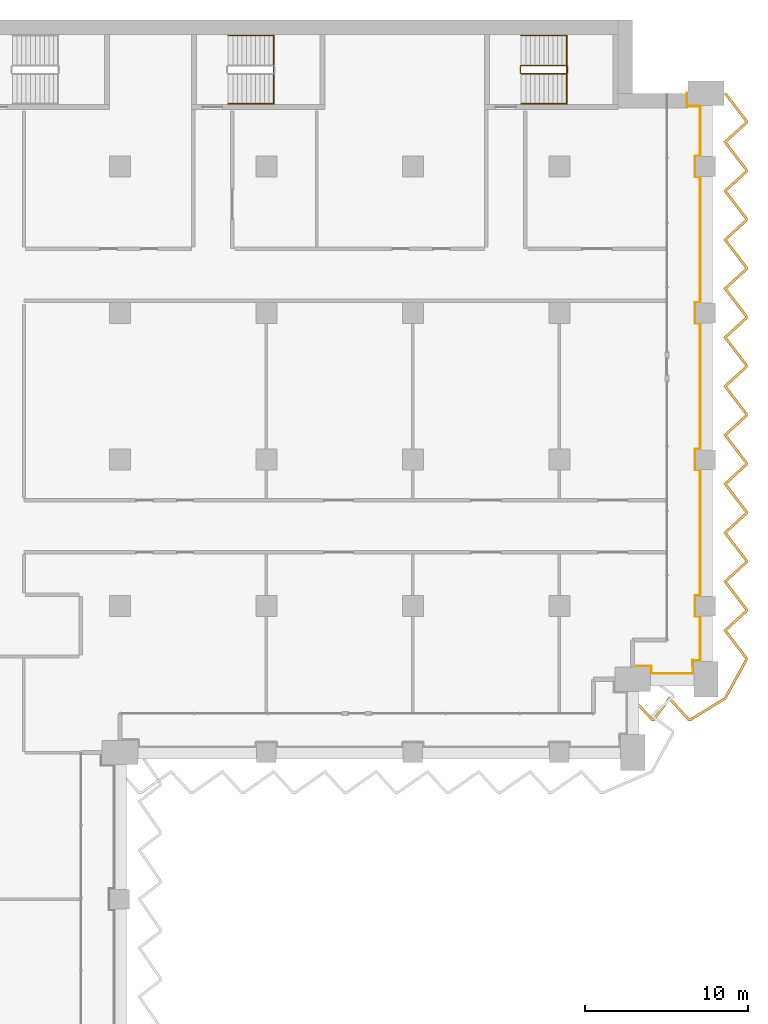
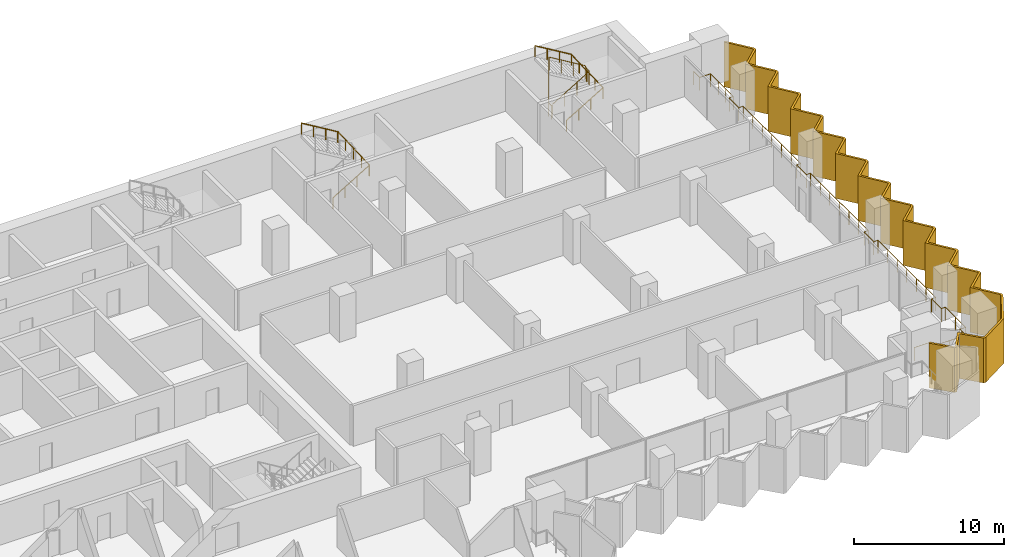
# One storey, part 22 of 22: 4 railings, 1 shading device.
"""IFC4 building model written with IfcOpenShell, lengths in metres."""

from ifc_helpers import new_model, si_unit, direction, frame, origin, origin_2d, place, context, subcontext, project, spatial, polyline, circle, outline, extrude, material, layer, layer_set, type_object, element, save


model = new_model("IFC4")

# Units and contexts
model_context = context("Model", 3, precision=1e-05, world=origin(), true_north=direction((0.0, 1.0)))
body_context = subcontext(model_context, "Body", "Model", "MODEL_VIEW")
ifc_project = project(units=[si_unit("LENGTHUNIT", "METRE"), si_unit("AREAUNIT", "SQUARE_METRE"), si_unit("VOLUMEUNIT", "CUBIC_METRE"), si_unit("PLANEANGLEUNIT", "RADIAN"), si_unit("MASSUNIT", "GRAM", prefix="KILO")], contexts=[model_context])

# Site, building, storey
site_placement = place(None, origin())
site = spatial("IfcSite", under=ifc_project, at=site_placement, CompositionType="ELEMENT")
building_placement = place(site_placement, origin())
building = spatial("IfcBuilding", under=site, at=building_placement, Name="Hunhe Ridgeline Campus", CompositionType="ELEMENT")
storey_placement = place(building_placement, frame((0.0, 0.0, 114.39990234375)))
storey = spatial("IfcBuildingStorey", under=building, at=storey_placement, Name="L28", CompositionType="ELEMENT", Elevation=114.39990234375)

# Railing
ifc_material_1 = material(Name="Steel Q355", Category="steel")
railing_type_1 = type_object("IfcRailingType", Name="Loggia guard 1100 Steel Q355", PredefinedType="GUARDRAIL", material=ifc_material_1)
railing_1_placement = place(storey_placement, frame((76.5, 59.320068359375, 0.0)))
element("IfcRailing", 1, at=railing_1_placement, inside=storey, type_object=railing_type_1, Name="Loggia guard 3", PredefinedType="GUARDRAIL", context=body_context, shape_type="SweptSolid", body=[
    extrude(circle(Radius=0.02392578125, at=origin_2d()), frame((0.0, 0.0, 1.076171875), z_axis=(1.0, 0.0, 0.0), x_axis=(0.0, 1.0, 0.0)), (0.0, 0.0, 1.0), 1.14990234375),
    extrude(circle(Radius=0.02392578125, at=origin_2d()), frame((1.14990234375, 0.0, 1.076171875), z_axis=(0.0, -1.0, 0.0), x_axis=(1.0, 0.0, 0.0)), (0.0, 0.0, 1.0), 0.469970703125),
    extrude(circle(Radius=0.02392578125, at=origin_2d()), frame((1.14990234375, -0.469970703125, 1.076171875), z_axis=(1.0, 0.0, 0.0), x_axis=(0.0, 1.0, 0.0)), (0.0, 0.0, 1.0), 2.550048828125),
    extrude(circle(Radius=0.02392578125, at=origin_2d()), frame((3.699951171875, -0.469970703125, 1.076171875), z_axis=(0.0, 1.0, 0.0), x_axis=(-1.0, 0.0, 0.0)), (0.0, 0.0, 1.0), 0.81982421875),
    extrude(circle(Radius=0.02392578125, at=origin_2d()), frame((3.699951171875, 0.349853515625, 1.076171875), z_axis=(-0.057129153726, -0.99836679622, 0.0), x_axis=(0.99836679622, -0.057129153726, 0.0)), (0.0, 0.0, 1.0), 0.350341796875),
    extrude(circle(Radius=0.02392578125, at=origin_2d()), frame((3.679931640625, 0.0, 1.076171875), z_axis=(0.0, 1.0, 0.0), x_axis=(-1.0, 0.0, 0.0)), (0.0, 0.0, 1.0), 0.329833984375),
    extrude(circle(Radius=0.02392578125, at=origin_2d()), frame((3.679931640625, 0.329833984375, 1.076171875), z_axis=(1.0, 0.0, 0.0), x_axis=(0.0, 1.0, 0.0)), (0.0, 0.0, 1.0), 0.469970703125),
    extrude(circle(Radius=0.02392578125, at=origin_2d()), frame((4.14990234375, 0.329833984375, 1.076171875), z_axis=(0.0, 1.0, 0.0), x_axis=(-1.0, 0.0, 0.0)), (0.0, 0.0, 1.0), 2.7001953125),
    extrude(circle(Radius=0.02392578125, at=origin_2d()), frame((4.14990234375, 3.030029296875, 1.076171875), z_axis=(-1.0, 0.0, 0.0), x_axis=(0.0, -1.0, 0.0)), (0.0, 0.0, 1.0), 0.31982421875),
    extrude(circle(Radius=0.02392578125, at=origin_2d()), frame((3.830078125, 3.030029296875, 1.076171875), z_axis=(0.0, 1.0, 0.0), x_axis=(-1.0, 0.0, 0.0)), (0.0, 0.0, 1.0), 1.2998046875),
    extrude(circle(Radius=0.02392578125, at=origin_2d()), frame((3.830078125, 4.329833984375, 1.076171875), z_axis=(1.0, 0.0, 0.0), x_axis=(0.0, 1.0, 0.0)), (0.0, 0.0, 1.0), 0.31982421875),
    extrude(circle(Radius=0.02392578125, at=origin_2d()), frame((4.14990234375, 4.329833984375, 1.076171875), z_axis=(0.0, 1.0, 0.0), x_axis=(-1.0, 0.0, 0.0)), (0.0, 0.0, 1.0), 7.7001953125),
    extrude(circle(Radius=0.02392578125, at=origin_2d()), frame((4.14990234375, 12.030029296875, 1.076171875), z_axis=(-1.0, 0.0, 0.0), x_axis=(0.0, -1.0, 0.0)), (0.0, 0.0, 1.0), 0.31982421875),
    extrude(circle(Radius=0.02392578125, at=origin_2d()), frame((3.830078125, 12.030029296875, 1.076171875), z_axis=(0.0, 1.0, 0.0), x_axis=(-1.0, 0.0, 0.0)), (0.0, 0.0, 1.0), 1.2998046875),
    extrude(circle(Radius=0.02392578125, at=origin_2d()), frame((3.830078125, 13.329833984375, 1.076171875), z_axis=(1.0, 0.0, 0.0), x_axis=(0.0, 1.0, 0.0)), (0.0, 0.0, 1.0), 0.31982421875),
    extrude(circle(Radius=0.02392578125, at=origin_2d()), frame((4.14990234375, 13.329833984375, 1.076171875), z_axis=(0.0, 1.0, 0.0), x_axis=(-1.0, 0.0, 0.0)), (0.0, 0.0, 1.0), 7.7001953125),
    extrude(circle(Radius=0.02392578125, at=origin_2d()), frame((4.14990234375, 21.030029296875, 1.076171875), z_axis=(-1.0, 0.0, 0.0), x_axis=(0.0, -1.0, 0.0)), (0.0, 0.0, 1.0), 0.31982421875),
    extrude(circle(Radius=0.02392578125, at=origin_2d()), frame((3.830078125, 21.030029296875, 1.076171875), z_axis=(0.0, 1.0, 0.0), x_axis=(-1.0, 0.0, 0.0)), (0.0, 0.0, 1.0), 1.2998046875),
    extrude(circle(Radius=0.02392578125, at=origin_2d()), frame((3.830078125, 22.329833984375, 1.076171875), z_axis=(1.0, 0.0, 0.0), x_axis=(0.0, 1.0, 0.0)), (0.0, 0.0, 1.0), 0.31982421875),
    extrude(circle(Radius=0.02392578125, at=origin_2d()), frame((4.14990234375, 22.329833984375, 1.076171875), z_axis=(0.0, 1.0, 0.0), x_axis=(-1.0, 0.0, 0.0)), (0.0, 0.0, 1.0), 7.7001953125),
    extrude(circle(Radius=0.02392578125, at=origin_2d()), frame((4.14990234375, 30.030029296875, 1.076171875), z_axis=(-1.0, 0.0, 0.0), x_axis=(0.0, -1.0, 0.0)), (0.0, 0.0, 1.0), 0.31982421875),
    extrude(circle(Radius=0.02392578125, at=origin_2d()), frame((3.830078125, 30.030029296875, 1.076171875), z_axis=(0.0, 1.0, 0.0), x_axis=(-1.0, 0.0, 0.0)), (0.0, 0.0, 1.0), 1.2998046875),
    extrude(circle(Radius=0.02392578125, at=origin_2d()), frame((3.830078125, 31.329833984375, 1.076171875), z_axis=(1.0, 0.0, 0.0), x_axis=(0.0, 1.0, 0.0)), (0.0, 0.0, 1.0), 0.31982421875),
    extrude(circle(Radius=0.02392578125, at=origin_2d()), frame((4.14990234375, 31.329833984375, 1.076171875), z_axis=(0.0, 1.0, 0.0), x_axis=(-1.0, 0.0, 0.0)), (0.0, 0.0, 1.0), 3.050048828125),
    extrude(circle(Radius=0.02392578125, at=origin_2d()), frame((4.14990234375, 34.3798828125, 1.076171875), z_axis=(-1.0, 0.0, 0.0), x_axis=(0.0, -1.0, 0.0)), (0.0, 0.0, 1.0), 0.81982421875),
    extrude(circle(Radius=0.02392578125, at=origin_2d()), frame((3.330078125, 34.3798828125, 1.076171875), z_axis=(0.0, 1.0, 0.0), x_axis=(-1.0, 0.0, 0.0)), (0.0, 0.0, 1.0), 0.800048828125),
    extrude(circle(Radius=0.02099609375, at=origin_2d()), origin(), (0.0, 0.0, 1.0), 1.052001953125),
    extrude(circle(Radius=0.02099609375, at=origin_2d()), frame((1.14990234375, 0.0, 0.0)), (0.0, 0.0, 1.0), 1.052001953125),
    extrude(circle(Radius=0.02099609375, at=origin_2d()), frame((1.14990234375, -0.469970703125, 0.0)), (0.0, 0.0, 1.0), 1.052001953125),
    extrude(circle(Radius=0.02099609375, at=origin_2d()), frame((2.4248046875, -0.469970703125, 0.0)), (0.0, 0.0, 1.0), 1.052001953125),
    extrude(circle(Radius=0.02099609375, at=origin_2d()), frame((3.699951171875, -0.469970703125, 0.0)), (0.0, 0.0, 1.0), 1.052001953125),
    extrude(circle(Radius=0.02099609375, at=origin_2d()), frame((3.699951171875, 0.349853515625, 0.0)), (0.0, 0.0, 1.0), 1.052001953125),
    extrude(circle(Radius=0.02099609375, at=origin_2d()), frame((3.679931640625, 0.0, 0.0)), (0.0, 0.0, 1.0), 1.052001953125),
    extrude(circle(Radius=0.02099609375, at=origin_2d()), frame((3.679931640625, 0.329833984375, 0.0)), (0.0, 0.0, 1.0), 1.052001953125),
    extrude(circle(Radius=0.02099609375, at=origin_2d()), frame((4.14990234375, 0.329833984375, 0.0)), (0.0, 0.0, 1.0), 1.052001953125),
    extrude(circle(Radius=0.02099609375, at=origin_2d()), frame((4.14990234375, 1.679931640625, 0.0)), (0.0, 0.0, 1.0), 1.052001953125),
    extrude(circle(Radius=0.02099609375, at=origin_2d()), frame((4.14990234375, 3.030029296875, 0.0)), (0.0, 0.0, 1.0), 1.052001953125),
    extrude(circle(Radius=0.02099609375, at=origin_2d()), frame((3.830078125, 3.030029296875, 0.0)), (0.0, 0.0, 1.0), 1.052001953125),
    extrude(circle(Radius=0.02099609375, at=origin_2d()), frame((3.830078125, 4.329833984375, 0.0)), (0.0, 0.0, 1.0), 1.052001953125),
    extrude(circle(Radius=0.02099609375, at=origin_2d()), frame((4.14990234375, 4.329833984375, 0.0)), (0.0, 0.0, 1.0), 1.052001953125),
    extrude(circle(Radius=0.02099609375, at=origin_2d()), frame((4.14990234375, 5.61328125, 0.0)), (0.0, 0.0, 1.0), 1.052001953125),
    extrude(circle(Radius=0.02099609375, at=origin_2d()), frame((4.14990234375, 6.896484375, 0.0)), (0.0, 0.0, 1.0), 1.052001953125),
    extrude(circle(Radius=0.02099609375, at=origin_2d()), frame((4.14990234375, 8.179931640625, 0.0)), (0.0, 0.0, 1.0), 1.052001953125),
    extrude(circle(Radius=0.02099609375, at=origin_2d()), frame((4.14990234375, 9.46337890625, 0.0)), (0.0, 0.0, 1.0), 1.052001953125),
    extrude(circle(Radius=0.02099609375, at=origin_2d()), frame((4.14990234375, 10.74658203125, 0.0)), (0.0, 0.0, 1.0), 1.052001953125),
    extrude(circle(Radius=0.02099609375, at=origin_2d()), frame((4.14990234375, 12.030029296875, 0.0)), (0.0, 0.0, 1.0), 1.052001953125),
    extrude(circle(Radius=0.02099609375, at=origin_2d()), frame((3.830078125, 12.030029296875, 0.0)), (0.0, 0.0, 1.0), 1.052001953125),
    extrude(circle(Radius=0.02099609375, at=origin_2d()), frame((3.830078125, 13.329833984375, 0.0)), (0.0, 0.0, 1.0), 1.052001953125),
    extrude(circle(Radius=0.02099609375, at=origin_2d()), frame((4.14990234375, 13.329833984375, 0.0)), (0.0, 0.0, 1.0), 1.052001953125),
    extrude(circle(Radius=0.02099609375, at=origin_2d()), frame((4.14990234375, 14.61328125, 0.0)), (0.0, 0.0, 1.0), 1.052001953125),
    extrude(circle(Radius=0.02099609375, at=origin_2d()), frame((4.14990234375, 15.896484375, 0.0)), (0.0, 0.0, 1.0), 1.052001953125),
    extrude(circle(Radius=0.02099609375, at=origin_2d()), frame((4.14990234375, 17.179931640625, 0.0)), (0.0, 0.0, 1.0), 1.052001953125),
    extrude(circle(Radius=0.02099609375, at=origin_2d()), frame((4.14990234375, 18.46337890625, 0.0)), (0.0, 0.0, 1.0), 1.052001953125),
    extrude(circle(Radius=0.02099609375, at=origin_2d()), frame((4.14990234375, 19.74658203125, 0.0)), (0.0, 0.0, 1.0), 1.052001953125),
    extrude(circle(Radius=0.02099609375, at=origin_2d()), frame((4.14990234375, 21.030029296875, 0.0)), (0.0, 0.0, 1.0), 1.052001953125),
    extrude(circle(Radius=0.02099609375, at=origin_2d()), frame((3.830078125, 21.030029296875, 0.0)), (0.0, 0.0, 1.0), 1.052001953125),
    extrude(circle(Radius=0.02099609375, at=origin_2d()), frame((3.830078125, 22.329833984375, 0.0)), (0.0, 0.0, 1.0), 1.052001953125),
    extrude(circle(Radius=0.02099609375, at=origin_2d()), frame((4.14990234375, 22.329833984375, 0.0)), (0.0, 0.0, 1.0), 1.052001953125),
    extrude(circle(Radius=0.02099609375, at=origin_2d()), frame((4.14990234375, 23.61328125, 0.0)), (0.0, 0.0, 1.0), 1.052001953125),
    extrude(circle(Radius=0.02099609375, at=origin_2d()), frame((4.14990234375, 24.896484375, 0.0)), (0.0, 0.0, 1.0), 1.052001953125),
    extrude(circle(Radius=0.02099609375, at=origin_2d()), frame((4.14990234375, 26.179931640625, 0.0)), (0.0, 0.0, 1.0), 1.052001953125),
    extrude(circle(Radius=0.02099609375, at=origin_2d()), frame((4.14990234375, 27.46337890625, 0.0)), (0.0, 0.0, 1.0), 1.052001953125),
    extrude(circle(Radius=0.02099609375, at=origin_2d()), frame((4.14990234375, 28.74658203125, 0.0)), (0.0, 0.0, 1.0), 1.052001953125),
    extrude(circle(Radius=0.02099609375, at=origin_2d()), frame((4.14990234375, 30.030029296875, 0.0)), (0.0, 0.0, 1.0), 1.052001953125),
    extrude(circle(Radius=0.02099609375, at=origin_2d()), frame((3.830078125, 30.030029296875, 0.0)), (0.0, 0.0, 1.0), 1.052001953125),
    extrude(circle(Radius=0.02099609375, at=origin_2d()), frame((3.830078125, 31.329833984375, 0.0)), (0.0, 0.0, 1.0), 1.052001953125),
    extrude(circle(Radius=0.02099609375, at=origin_2d()), frame((4.14990234375, 31.329833984375, 0.0)), (0.0, 0.0, 1.0), 1.052001953125),
    extrude(circle(Radius=0.02099609375, at=origin_2d()), frame((4.14990234375, 32.346435546875, 0.0)), (0.0, 0.0, 1.0), 1.052001953125),
    extrude(circle(Radius=0.02099609375, at=origin_2d()), frame((4.14990234375, 33.36328125, 0.0)), (0.0, 0.0, 1.0), 1.052001953125),
    extrude(circle(Radius=0.02099609375, at=origin_2d()), frame((4.14990234375, 34.3798828125, 0.0)), (0.0, 0.0, 1.0), 1.052001953125),
    extrude(circle(Radius=0.02099609375, at=origin_2d()), frame((3.330078125, 34.3798828125, 0.0)), (0.0, 0.0, 1.0), 1.052001953125),
    extrude(circle(Radius=0.02099609375, at=origin_2d()), frame((3.330078125, 35.179931640625, 0.0)), (0.0, 0.0, 1.0), 1.052001953125),
])

# Shading device
ifc_material_2 = material(Name="Concrete C50", Category="concrete")
ifc_layer = layer(ifc_material_2, 0.14990234375)
ifc_layer_set = layer_set([ifc_layer], Name="Sawtooth concrete fin 150 Concrete C50")
shading_device_type = type_object("IfcShadingDeviceType", Name="Sawtooth concrete fin 150 Concrete C50", PredefinedType="USERDEFINED", material=ifc_layer_set)
shading_device_placement = place(storey_placement, frame((0.0, 0.0, -0.949951171875)))
element("IfcShadingDevice", 2, at=shading_device_placement, inside=storey, type_object=shading_device_type, Name="Concrete fin screen 3", ObjectType="FIN", PredefinedType="USERDEFINED", context=body_context, shape_type="SweptSolid", body=[
    extrude(outline(polyline([(76.555419921875, 57.37548828125), (76.444580078125, 57.2744140625), (77.65283203125, 55.949951171875), (77.84423828125, 55.949951171875), (78.756591796875, 57.20654296875), (79.90283203125, 55.949951171875), (80.0771484375, 55.949951171875), (82.231201171875, 57.271484375), (83.550048828125, 59.666748046875), (83.550048828125, 59.83154296875), (82.2763671875, 61.490966796875), (83.550048828125, 62.65283203125), (83.550048828125, 62.83154296875), (82.2763671875, 64.490966796875), (83.550048828125, 65.65283203125), (83.550048828125, 65.83154296875), (82.2763671875, 67.490966796875), (83.550048828125, 68.65283203125), (83.550048828125, 68.83154296875), (82.2763671875, 70.490966796875), (83.550048828125, 71.65283203125), (83.550048828125, 71.83154296875), (82.2763671875, 73.490966796875), (83.550048828125, 74.65283203125), (83.550048828125, 74.83154296875), (82.2763671875, 76.490966796875), (83.550048828125, 77.65283203125), (83.550048828125, 77.83154296875), (82.2763671875, 79.490966796875), (83.550048828125, 80.65283203125), (83.550048828125, 80.83154296875), (82.2763671875, 82.490966796875), (83.550048828125, 83.65283203125), (83.550048828125, 83.83154296875), (82.2763671875, 85.490966796875), (83.550048828125, 86.65283203125), (83.550048828125, 86.83154296875), (82.2763671875, 88.490966796875), (83.550048828125, 89.65283203125), (83.550048828125, 89.83154296875), (82.2763671875, 91.490966796875), (83.550048828125, 92.65283203125), (83.550048828125, 92.83154296875), (82.234619140625, 94.545654296875), (82.115478515625, 94.454345703125), (83.39990234375, 92.780517578125), (83.39990234375, 92.71923828125), (82.073486328125, 91.509033203125), (83.39990234375, 89.780517578125), (83.39990234375, 89.71923828125), (82.073486328125, 88.509033203125), (83.39990234375, 86.780517578125), (83.39990234375, 86.71923828125), (82.073486328125, 85.509033203125), (83.39990234375, 83.780517578125), (83.39990234375, 83.71923828125), (82.073486328125, 82.509033203125), (83.39990234375, 80.780517578125), (83.39990234375, 80.71923828125), (82.073486328125, 79.509033203125), (83.39990234375, 77.780517578125), (83.39990234375, 77.71923828125), (82.073486328125, 76.509033203125), (83.39990234375, 74.780517578125), (83.39990234375, 74.71923828125), (82.073486328125, 73.509033203125), (83.39990234375, 71.780517578125), (83.39990234375, 71.71923828125), (82.073486328125, 70.509033203125), (83.39990234375, 68.780517578125), (83.39990234375, 68.71923828125), (82.073486328125, 67.509033203125), (83.39990234375, 65.780517578125), (83.39990234375, 65.71923828125), (82.073486328125, 64.509033203125), (83.39990234375, 62.780517578125), (83.39990234375, 62.71923828125), (82.073486328125, 61.509033203125), (83.39990234375, 59.780517578125), (83.39990234375, 59.705322265625), (82.118896484375, 57.378662109375), (80.034912109375, 56.10009765625), (79.96923828125, 56.10009765625), (78.743408203125, 57.443603515625), (77.767822265625, 56.10009765625), (77.71923828125, 56.10009765625), (76.555419921875, 57.37548828125)])), origin(), (0.0, 0.0, 1.0), 3.650146484375),
])

# Railings
ifc_material_3 = material(Name="Stainless steel balustrade", Category="steel")
railing_type_2 = type_object("IfcRailingType", Name="Stair guard 1100 stainless", PredefinedType="GUARDRAIL", material=ifc_material_3)
railing_2_placement = place(storey_placement, frame((69.64990234375, 95.699951171875, 0.168212890625)))
element("IfcRailing", 3, at=railing_2_placement, inside=storey, type_object=railing_type_2, Name="L28 stair E3 guard", PredefinedType="GUARDRAIL", context=body_context, shape_type="SweptSolid", body=[
    extrude(circle(Radius=0.02392578125, at=origin_2d()), frame((0.0, 0.0, 1.076171875), z_axis=(0.857242210791, 0.0, 0.514913383045), x_axis=(0.0, 1.0, 0.0)), (0.0, 0.0, 1.0), 3.266357421875),
    extrude(circle(Radius=0.02392578125, at=origin_2d()), frame((2.800048828125, 0.0, 2.7578125), z_axis=(0.707106781187, 0.707106781187, 0.0), x_axis=(-0.707106781187, 0.707106781187, 0.0)), (0.0, 0.0, 1.0), 0.07080078125),
    extrude(circle(Radius=0.02392578125, at=origin_2d()), frame((2.85009765625, 0.050048828125, 2.7578125), z_axis=(0.0, 1.0, 0.0), x_axis=(-1.0, 0.0, 0.0)), (0.0, 0.0, 1.0), 0.39990234375),
    extrude(circle(Radius=0.02392578125, at=origin_2d()), frame((2.85009765625, 0.449951171875, 2.7578125), z_axis=(-0.274243871929, 0.274243871929, 0.92172696468), x_axis=(-0.707106781187, -0.707106781187, 0.0)), (0.0, 0.0, 1.0), 0.1826171875),
    extrude(circle(Radius=0.02392578125, at=origin_2d()), frame((2.800048828125, 0.5, 2.92626953125), z_axis=(-0.857242210791, 0.0, 0.514913383045), x_axis=(0.0, -1.0, 0.0)), (0.0, 0.0, 1.0), 3.266357421875),
    extrude(circle(Radius=0.02392578125, at=origin_2d()), frame((0.0, 0.5, 4.60791015625), z_axis=(-0.013457565943, -0.013523534403, -0.999817987404), x_axis=(0.708833529934, -0.705375805398, 0.0)), (0.0, 0.0, 1.0), 3.700927734375),
    extrude(circle(Radius=0.02392578125, at=origin_2d()), frame((-0.0498046875, 0.449951171875, 0.90771484375), z_axis=(0.0, -1.0, 0.0), x_axis=(1.0, 0.0, 0.0)), (0.0, 0.0, 1.0), 0.39990234375),
    extrude(circle(Radius=0.02099609375, at=origin_2d()), origin(), (0.0, 0.0, 1.0), 1.052001953125),
    extrude(circle(Radius=0.02099609375, at=origin_2d()), frame((0.933349609375, 0.0, 0.560546875)), (0.0, 0.0, 1.0), 1.052001953125),
    extrude(circle(Radius=0.02099609375, at=origin_2d()), frame((1.86669921875, 0.0, 1.121337890625)), (0.0, 0.0, 1.0), 1.052001953125),
    extrude(circle(Radius=0.02099609375, at=origin_2d()), frame((2.800048828125, 0.0, 1.681884765625)), (0.0, 0.0, 1.0), 1.052001953125),
    extrude(circle(Radius=0.02099609375, at=origin_2d()), frame((2.85009765625, 0.050048828125, 1.681884765625)), (0.0, 0.0, 1.0), 1.052001953125),
    extrude(circle(Radius=0.02099609375, at=origin_2d()), frame((2.85009765625, 0.449951171875, 1.681884765625)), (0.0, 0.0, 1.0), 1.052001953125),
    extrude(circle(Radius=0.02099609375, at=origin_2d()), frame((2.800048828125, 0.5, 1.85009765625)), (0.0, 0.0, 1.0), 1.052001953125),
    extrude(circle(Radius=0.02099609375, at=origin_2d()), frame((1.86669921875, 0.5, 2.41064453125)), (0.0, 0.0, 1.0), 1.052001953125),
    extrude(circle(Radius=0.02099609375, at=origin_2d()), frame((0.933349609375, 0.5, 2.971435546875)), (0.0, 0.0, 1.0), 1.052001953125),
    extrude(circle(Radius=0.02099609375, at=origin_2d()), frame((0.0, 0.5, 3.531982421875)), (0.0, 0.0, 1.0), 1.052001953125),
    extrude(circle(Radius=0.02099609375, at=origin_2d()), frame((-0.012451171875, 0.487548828125, 2.60693359375)), (0.0, 0.0, 1.0), 1.052001953125),
    extrude(circle(Radius=0.02099609375, at=origin_2d()), frame((-0.02490234375, 0.47509765625, 1.681884765625)), (0.0, 0.0, 1.0), 1.052001953125),
    extrude(circle(Radius=0.02099609375, at=origin_2d()), frame((-0.037353515625, 0.46240234375, 0.7568359375)), (0.0, 0.0, 1.0), 1.052001953125),
    extrude(circle(Radius=0.02099609375, at=origin_2d()), frame((-0.0498046875, 0.449951171875, -0.168212890625)), (0.0, 0.0, 1.0), 1.052001953125),
    extrude(circle(Radius=0.02099609375, at=origin_2d()), frame((-0.0498046875, 0.050048828125, -0.168212890625)), (0.0, 0.0, 1.0), 1.052001953125),
])
ifc_material_4 = material(Name="Stainless steel handrail", Category="steel")
railing_type_3 = type_object("IfcRailingType", Name="Stair handrail 900 stainless", PredefinedType="HANDRAIL", material=ifc_material_4)
railing_3_placement = place(storey_placement, frame((51.64990234375, 93.85009765625, 0.168212890625)))
element("IfcRailing", 4, at=railing_3_placement, inside=storey, type_object=railing_type_3, Name="L28 stair E2 handrail", PredefinedType="HANDRAIL", context=body_context, shape_type="SweptSolid", body=[
    extrude(circle(Radius=0.02392578125, at=origin_2d()), frame((0.0, 0.0, 0.8759765625), z_axis=(0.857242210791, 0.0, 0.514913383045), x_axis=(0.0, 1.0, 0.0)), (0.0, 0.0, 1.0), 3.266357421875),
    extrude(circle(Radius=0.02392578125, at=origin_2d()), frame((2.800048828125, 0.0, 2.5576171875), z_axis=(0.0, 0.999198916169, 0.040019069537), x_axis=(-1.0, 0.0, 0.0)), (0.0, 0.0, 1.0), 4.203369140625),
    extrude(circle(Radius=0.02392578125, at=origin_2d()), frame((2.800048828125, 4.199951171875, 2.72607421875), z_axis=(-0.857242210791, 0.0, 0.514913383045), x_axis=(0.0, -1.0, 0.0)), (0.0, 0.0, 1.0), 3.266357421875),
    extrude(circle(Radius=0.02099609375, at=origin_2d()), origin(), (0.0, 0.0, 1.0), 0.851806640625),
    extrude(circle(Radius=0.02099609375, at=origin_2d()), frame((0.933349609375, 0.0, 0.560546875)), (0.0, 0.0, 1.0), 0.851806640625),
    extrude(circle(Radius=0.02099609375, at=origin_2d()), frame((1.86669921875, 0.0, 1.121337890625)), (0.0, 0.0, 1.0), 0.851806640625),
    extrude(circle(Radius=0.02099609375, at=origin_2d()), frame((2.800048828125, 0.0, 1.681884765625)), (0.0, 0.0, 1.0), 0.851806640625),
    extrude(circle(Radius=0.02099609375, at=origin_2d()), frame((2.800048828125, 1.050048828125, 1.723876953125)), (0.0, 0.0, 1.0), 0.851806640625),
    extrude(circle(Radius=0.02099609375, at=origin_2d()), frame((2.800048828125, 2.10009765625, 1.76611328125)), (0.0, 0.0, 1.0), 0.851806640625),
    extrude(circle(Radius=0.02099609375, at=origin_2d()), frame((2.800048828125, 3.14990234375, 1.80810546875)), (0.0, 0.0, 1.0), 0.851806640625),
    extrude(circle(Radius=0.02099609375, at=origin_2d()), frame((2.800048828125, 4.199951171875, 1.85009765625)), (0.0, 0.0, 1.0), 0.851806640625),
    extrude(circle(Radius=0.02099609375, at=origin_2d()), frame((1.86669921875, 4.199951171875, 2.41064453125)), (0.0, 0.0, 1.0), 0.851806640625),
    extrude(circle(Radius=0.02099609375, at=origin_2d()), frame((0.933349609375, 4.199951171875, 2.971435546875)), (0.0, 0.0, 1.0), 0.851806640625),
    extrude(circle(Radius=0.02099609375, at=origin_2d()), frame((0.0, 4.199951171875, 3.531982421875)), (0.0, 0.0, 1.0), 0.851806640625),
])
railing_4_placement = place(storey_placement, frame((69.64990234375, 93.85009765625, 0.168212890625)))
element("IfcRailing", 5, at=railing_4_placement, inside=storey, type_object=railing_type_3, Name="L28 stair E3 handrail", PredefinedType="HANDRAIL", context=body_context, shape_type="SweptSolid", body=[
    extrude(circle(Radius=0.02392578125, at=origin_2d()), frame((0.0, 0.0, 0.8759765625), z_axis=(0.857242210791, 0.0, 0.514913383045), x_axis=(0.0, 1.0, 0.0)), (0.0, 0.0, 1.0), 3.266357421875),
    extrude(circle(Radius=0.02392578125, at=origin_2d()), frame((2.800048828125, 0.0, 2.5576171875), z_axis=(0.0, 0.999198916169, 0.040019069537), x_axis=(-1.0, 0.0, 0.0)), (0.0, 0.0, 1.0), 4.203369140625),
    extrude(circle(Radius=0.02392578125, at=origin_2d()), frame((2.800048828125, 4.199951171875, 2.72607421875), z_axis=(-0.857242210791, 0.0, 0.514913383045), x_axis=(0.0, -1.0, 0.0)), (0.0, 0.0, 1.0), 3.266357421875),
    extrude(circle(Radius=0.02099609375, at=origin_2d()), origin(), (0.0, 0.0, 1.0), 0.851806640625),
    extrude(circle(Radius=0.02099609375, at=origin_2d()), frame((0.933349609375, 0.0, 0.560546875)), (0.0, 0.0, 1.0), 0.851806640625),
    extrude(circle(Radius=0.02099609375, at=origin_2d()), frame((1.86669921875, 0.0, 1.121337890625)), (0.0, 0.0, 1.0), 0.851806640625),
    extrude(circle(Radius=0.02099609375, at=origin_2d()), frame((2.800048828125, 0.0, 1.681884765625)), (0.0, 0.0, 1.0), 0.851806640625),
    extrude(circle(Radius=0.02099609375, at=origin_2d()), frame((2.800048828125, 1.050048828125, 1.723876953125)), (0.0, 0.0, 1.0), 0.851806640625),
    extrude(circle(Radius=0.02099609375, at=origin_2d()), frame((2.800048828125, 2.10009765625, 1.76611328125)), (0.0, 0.0, 1.0), 0.851806640625),
    extrude(circle(Radius=0.02099609375, at=origin_2d()), frame((2.800048828125, 3.14990234375, 1.80810546875)), (0.0, 0.0, 1.0), 0.851806640625),
    extrude(circle(Radius=0.02099609375, at=origin_2d()), frame((2.800048828125, 4.199951171875, 1.85009765625)), (0.0, 0.0, 1.0), 0.851806640625),
    extrude(circle(Radius=0.02099609375, at=origin_2d()), frame((1.86669921875, 4.199951171875, 2.41064453125)), (0.0, 0.0, 1.0), 0.851806640625),
    extrude(circle(Radius=0.02099609375, at=origin_2d()), frame((0.933349609375, 4.199951171875, 2.971435546875)), (0.0, 0.0, 1.0), 0.851806640625),
    extrude(circle(Radius=0.02099609375, at=origin_2d()), frame((0.0, 4.199951171875, 3.531982421875)), (0.0, 0.0, 1.0), 0.851806640625),
])

save(model, "model.ifc")
